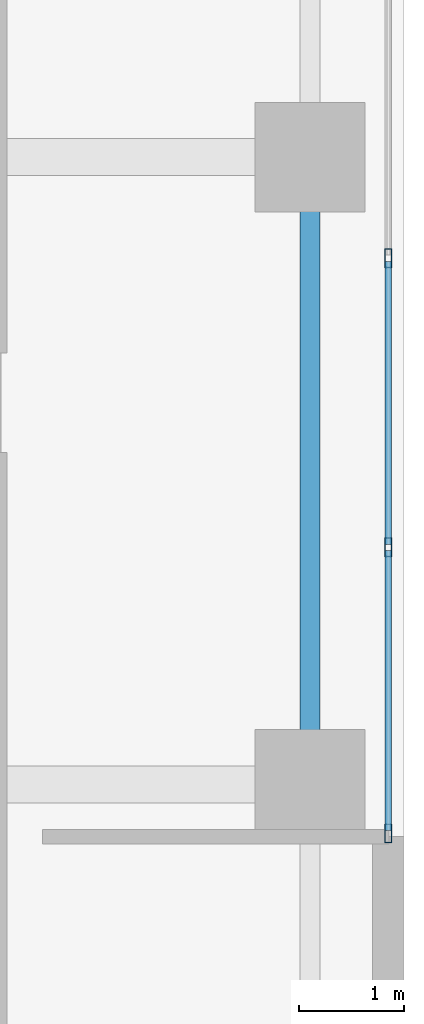
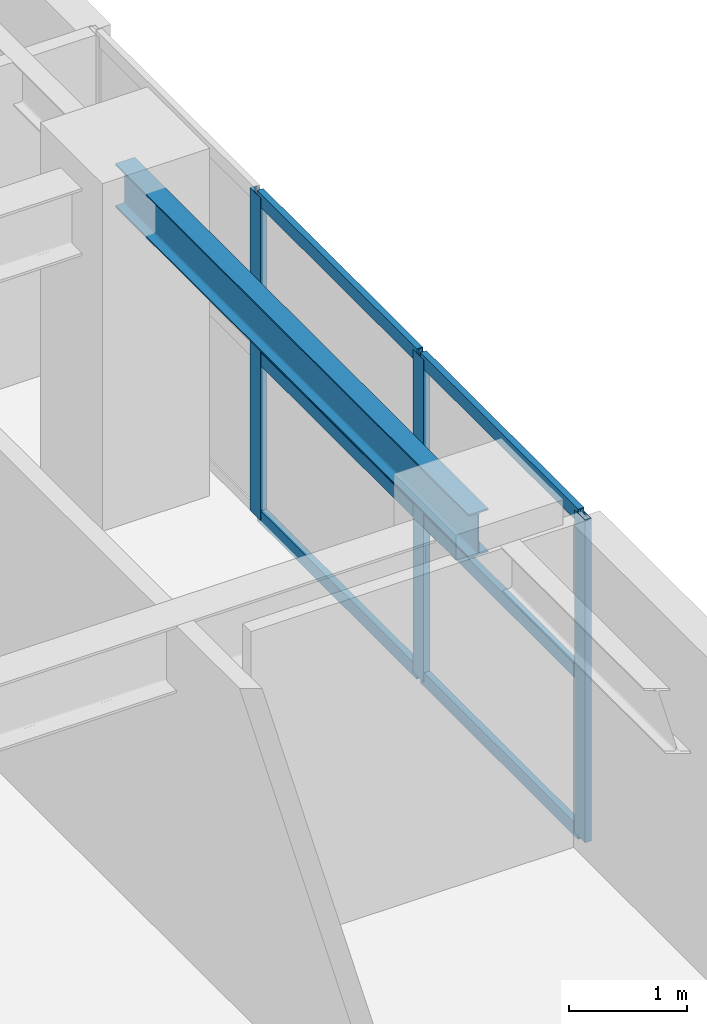
# One storey, part 4 of 13: 9 members, 1 beam, 1 element without a shape of its own.
"""IFC4 building model written with IfcOpenShell, lengths in metres."""

from ifc_helpers import new_model, si_unit, direction, frame, origin, origin_2d, place, context, subcontext, project, spatial, hollow_rectangle, i_section, extrude, source, transform, mapped, material, layer, layer_set, material_profile, profile_set, type_object, element, aggregate, save


model = new_model("IFC4")

# Units and contexts
model_context = context("Model", 3, precision=1e-05, world=origin(), true_north=direction((0.0, 1.0)))
body_context = subcontext(model_context, "Body", "Model", "MODEL_VIEW")
ifc_project = project(units=[si_unit("LENGTHUNIT", "METRE"), si_unit("AREAUNIT", "SQUARE_METRE"), si_unit("VOLUMEUNIT", "CUBIC_METRE"), si_unit("PLANEANGLEUNIT", "RADIAN"), si_unit("MASSUNIT", "GRAM", prefix="KILO")], contexts=[model_context])

# Site, building, storey
site_placement = place(None, origin())
site = spatial("IfcSite", under=ifc_project, at=site_placement, CompositionType="ELEMENT")
building_placement = place(site_placement, origin())
building = spatial("IfcBuilding", under=site, at=building_placement, Name="Khoralis Quay Care Tower", CompositionType="ELEMENT")
storey_placement = place(building_placement, frame((0.0, 0.0, 87.300048828125)))
storey = spatial("IfcBuildingStorey", under=building, at=storey_placement, Name="L22", CompositionType="ELEMENT", Elevation=87.300048828125)

# Beam
ifc_material_1 = material(Name="Steel S355", Category="steel")
ifc_material_profile_1 = material_profile(ifc_material_1, i_section(OverallWidth=0.18994140625, OverallDepth=0.449951171875, WebThickness=0.009521484375, FlangeThickness=0.0146484375, FilletRadius=0.02099609375, at=origin_2d()), Name="Steel S355")
ifc_profile_set_1 = profile_set([ifc_material_profile_1], Name="Steel S355")
beam_type = type_object("IfcBeamType", Name="BM-IPE450", PredefinedType="SPANDREL", material=ifc_profile_set_1)
shared_shape_1 = source(origin(), body_context, "Body", "SweptSolid", [
    extrude(i_section(OverallWidth=0.18994140625, OverallDepth=0.449951171875, WebThickness=0.009521484375, FlangeThickness=0.0146484375, FilletRadius=0.02099609375, at=origin_2d()), origin(), (0.0, 0.0, 1.0), 6.0),
])
beam_placement = place(storey_placement, frame((44.10009765625, 18.0, 3.114990234375), z_axis=(0.0, 1.0, 0.0), x_axis=(-1.0, 0.0, 0.0)))
element("IfcBeam", 1, at=beam_placement, inside=storey, type_object=beam_type, Name="BM-TSP-L22-18", PredefinedType="SPANDREL", context=body_context, shape_type="MappedRepresentation", body=[
    mapped(shared_shape_1, transform((0.0, 0.0, 0.0), scale=1.0)),
])

# Curtain wall, members
ifc_material_2 = material(Name="Pale anodised aluminium", Category="aluminium")
ifc_layer = layer(ifc_material_2, 0.169921875)
ifc_layer_set = layer_set([ifc_layer], Name="Pale anodised aluminium")
curtain_wall_type = type_object("IfcCurtainWallType", Name="CW-SYS-Z2", PredefinedType="NOTDEFINED", material=ifc_layer_set)
curtain_wall_placement = place(storey_placement, origin())
curtain_wall = element("IfcCurtainWall", 2, at=curtain_wall_placement, inside=storey, type_object=curtain_wall_type, Name="L22 Unitised Curtain Wall CW-L22-P1-E5", PredefinedType="NOTDEFINED")
ifc_material_profile_2 = material_profile(ifc_material_2, hollow_rectangle(XDim=0.06005859375, YDim=0.139892578125, WallThickness=0.00390625, at=origin_2d()), Name="Pale anodised aluminium")
ifc_profile_set_2 = profile_set([ifc_material_profile_2], Name="Pale anodised aluminium")
member_type_1 = type_object("IfcMemberType", Name="CW-TRN-140", PredefinedType="USERDEFINED", material=ifc_profile_set_2)
shared_shape_2 = source(origin(), body_context, "Body", "SweptSolid", [
    extrude(hollow_rectangle(XDim=0.06005859375, YDim=0.139892578125, WallThickness=0.00390625, at=origin_2d()), origin(), (0.0, 0.0, 1.0), 2.676513671875),
])
member_1_placement = place(storey_placement, frame((44.85009765625, 17.56005859375, 0.030029296875), z_axis=(0.0, 1.0, 0.0), x_axis=(-1.0, 0.0, 0.0)))
member_1 = element("IfcMember", 3, at=member_1_placement, type_object=member_type_1, Name="CW2 transom 1.1", ObjectType="TRANSOM", PredefinedType="USERDEFINED", context=body_context, shape_type="MappedRepresentation", body=[
    mapped(shared_shape_2, transform((0.0, 0.0, 0.0), scale=1.0)),
])
member_2_placement = place(storey_placement, frame((44.85009765625, 17.56005859375, 1.669921875), z_axis=(0.0, 1.0, 0.0), x_axis=(-1.0, 0.0, 0.0)))
member_2 = element("IfcMember", 4, at=member_2_placement, type_object=member_type_1, Name="CW2 transom 1.2", ObjectType="TRANSOM", PredefinedType="USERDEFINED", context=body_context, shape_type="MappedRepresentation", body=[
    mapped(shared_shape_2, transform((0.0, 0.0, 0.0), scale=1.0)),
])
member_3_placement = place(storey_placement, frame((44.85009765625, 17.56005859375, 3.31005859375), z_axis=(0.0, 1.0, 0.0), x_axis=(-1.0, 0.0, 0.0)))
member_3 = element("IfcMember", 5, at=member_3_placement, type_object=member_type_1, Name="CW2 transom 1.3", ObjectType="TRANSOM", PredefinedType="USERDEFINED", context=body_context, shape_type="MappedRepresentation", body=[
    mapped(shared_shape_2, transform((0.0, 0.0, 0.0), scale=1.0)),
])
ifc_material_profile_3 = material_profile(ifc_material_2, hollow_rectangle(XDim=0.06494140625, YDim=0.179931640625, WallThickness=0.00390625, at=origin_2d()), Name="Pale anodised aluminium")
ifc_profile_set_3 = profile_set([ifc_material_profile_3], Name="Pale anodised aluminium")
member_type_2 = type_object("IfcMemberType", Name="CW-MUL-180", PredefinedType="MULLION", material=ifc_profile_set_3)
shared_shape_3 = source(origin(), body_context, "Body", "SweptSolid", [
    extrude(hollow_rectangle(XDim=0.06494140625, YDim=0.179931640625, WallThickness=0.00390625, at=origin_2d()), origin(), (0.0, 0.0, 1.0), 3.33984375),
])
member_4_placement = place(storey_placement, frame((44.85009765625, 17.530029296875, 0.0), z_axis=(0.0, 0.0, 1.0), x_axis=(-1.0, 0.0, 0.0)))
member_4 = element("IfcMember", 6, at=member_4_placement, type_object=member_type_2, Name="CW2 mullion 1", PredefinedType="MULLION", context=body_context, shape_type="MappedRepresentation", body=[
    mapped(shared_shape_3, transform((0.0, 0.0, 0.0), scale=1.0)),
])
member_5_placement = place(storey_placement, frame((44.85009765625, 20.2666015625, 0.0), z_axis=(0.0, 0.0, 1.0), x_axis=(-1.0, 0.0, 0.0)))
member_5 = element("IfcMember", 7, at=member_5_placement, type_object=member_type_2, Name="CW2 mullion 2", PredefinedType="MULLION", context=body_context, shape_type="MappedRepresentation", body=[
    mapped(shared_shape_3, transform((0.0, 0.0, 0.0), scale=1.0)),
])
member_6_placement = place(storey_placement, frame((44.85009765625, 23.033447265625, 0.0), z_axis=(0.0, 0.0, 1.0), x_axis=(-1.0, 0.0, 0.0)))
member_6 = element("IfcMember", 8, at=member_6_placement, type_object=member_type_2, Name="CW2 mullion 3", PredefinedType="MULLION", context=body_context, shape_type="MappedRepresentation", body=[
    mapped(shared_shape_3, transform((0.0, 0.0, 0.0), scale=1.0)),
])
shared_shape_4 = source(origin(), body_context, "Body", "SweptSolid", [
    extrude(hollow_rectangle(XDim=0.06005859375, YDim=0.139892578125, WallThickness=0.00390625, at=origin_2d()), origin(), (0.0, 0.0, 1.0), 2.706787109375),
])
member_7_placement = place(storey_placement, frame((44.85009765625, 20.296630859375, 0.030029296875), z_axis=(0.0, 1.0, 0.0), x_axis=(-1.0, 0.0, 0.0)))
member_7 = element("IfcMember", 9, at=member_7_placement, type_object=member_type_1, Name="CW2 transom 2.1", ObjectType="TRANSOM", PredefinedType="USERDEFINED", context=body_context, shape_type="MappedRepresentation", body=[
    mapped(shared_shape_4, transform((0.0, 0.0, 0.0), scale=1.0)),
])
member_8_placement = place(storey_placement, frame((44.85009765625, 20.296630859375, 1.669921875), z_axis=(0.0, 1.0, 0.0), x_axis=(-1.0, 0.0, 0.0)))
member_8 = element("IfcMember", 10, at=member_8_placement, type_object=member_type_1, Name="CW2 transom 2.2", ObjectType="TRANSOM", PredefinedType="USERDEFINED", context=body_context, shape_type="MappedRepresentation", body=[
    mapped(shared_shape_4, transform((0.0, 0.0, 0.0), scale=1.0)),
])
member_9_placement = place(storey_placement, frame((44.85009765625, 20.296630859375, 3.31005859375), z_axis=(0.0, 1.0, 0.0), x_axis=(-1.0, 0.0, 0.0)))
member_9 = element("IfcMember", 11, at=member_9_placement, type_object=member_type_1, Name="CW2 transom 2.3", ObjectType="TRANSOM", PredefinedType="USERDEFINED", context=body_context, shape_type="MappedRepresentation", body=[
    mapped(shared_shape_4, transform((0.0, 0.0, 0.0), scale=1.0)),
])
aggregate(curtain_wall, [member_4, member_5, member_6, member_1, member_2, member_3, member_7, member_8, member_9])

save(model, "model.ifc")
